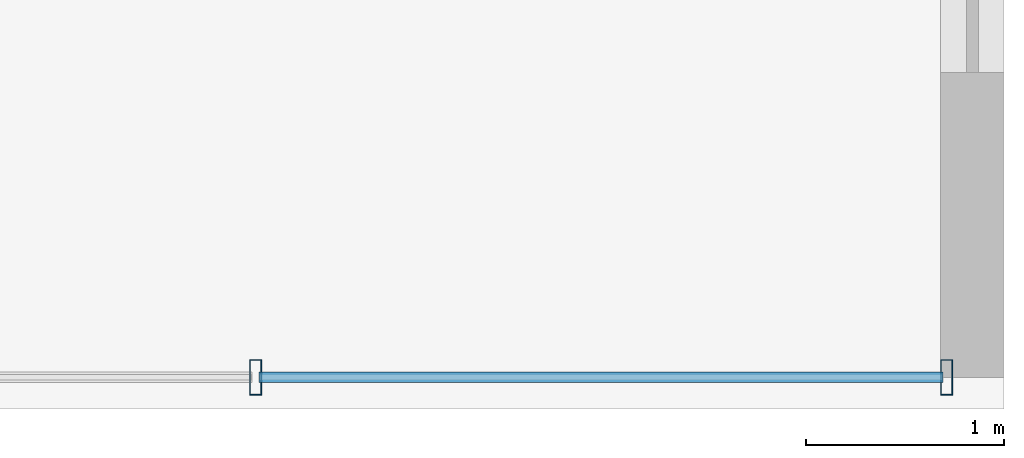
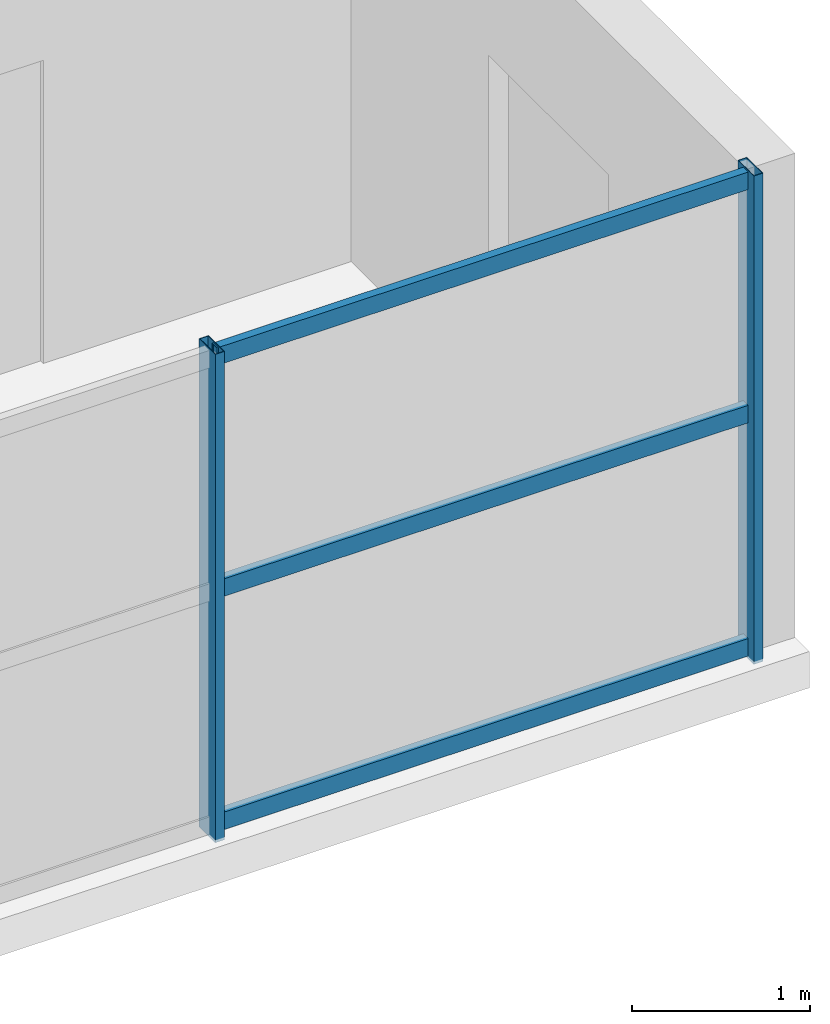
# One storey, part 4 of 13: 5 members, 1 element without a shape of its own.
"""IFC4 building model written with IfcOpenShell, lengths in metres."""

from ifc_helpers import new_model, si_unit, direction, frame, origin, origin_2d, place, context, subcontext, project, spatial, hollow_rectangle, extrude, source, transform, mapped, material, material_profile, profile_set, type_object, element, aggregate, save


model = new_model("IFC4")

# Units and contexts
model_context = context("Model", 3, precision=1e-05, world=origin(), true_north=direction((0.0, 1.0)))
body_context = subcontext(model_context, "Body", "Model", "MODEL_VIEW")
ifc_project = project(units=[si_unit("LENGTHUNIT", "METRE"), si_unit("AREAUNIT", "SQUARE_METRE"), si_unit("VOLUMEUNIT", "CUBIC_METRE"), si_unit("PLANEANGLEUNIT", "RADIAN"), si_unit("MASSUNIT", "GRAM", prefix="KILO")], contexts=[model_context])

# Site, building, storey
site_placement = place(None, origin())
site = spatial("IfcSite", under=ifc_project, at=site_placement, CompositionType="ELEMENT")
building_placement = place(site_placement, origin())
building = spatial("IfcBuilding", under=site, at=building_placement, Name="Tlacorven Tower", CompositionType="ELEMENT")
storey_placement = place(building_placement, frame((0.0, 0.0, 295.199951171875)))
storey = spatial("IfcBuildingStorey", under=building, at=storey_placement, Name="L75", CompositionType="ELEMENT", Elevation=295.199951171875)

# Curtain wall, members
ifc_material_1 = material(Name="Dark solar low-E double glazing in aluminium frame", Category="aluminium")
curtain_wall_type = type_object("IfcCurtainWallType", Name="CW-TWR-HIGH", PredefinedType="USERDEFINED", material=ifc_material_1)
curtain_wall_placement = place(storey_placement, origin())
curtain_wall = element("IfcCurtainWall", 1, at=curtain_wall_placement, inside=storey, type_object=curtain_wall_type, Name="L75 CW-TWR-HIGH Curtain Wall 349", ObjectType="UNITISED CURTAIN WALL", PredefinedType="USERDEFINED")
ifc_material_2 = material(Name="Aluminium 6063-T6 anodised", Category="aluminium")
ifc_material_profile_1 = material_profile(ifc_material_2, hollow_rectangle(XDim=0.054931640625, YDim=0.1201171875, WallThickness=0.00341796875, at=origin_2d()), Name="ALU TRANSOM 55X120")
ifc_profile_set_1 = profile_set([ifc_material_profile_1], Name="Aluminium 6063-T6 anodised")
member_type_1 = type_object("IfcMemberType", Name="CWT-03", PredefinedType="USERDEFINED", material=ifc_profile_set_1)
shared_shape_1 = source(origin(), body_context, "Body", "SweptSolid", [
    extrude(hollow_rectangle(XDim=0.054931640625, YDim=0.1201171875, WallThickness=0.00341796875, at=origin_2d()), origin(), (0.0, 0.0, 1.0), 3.458740234375),
])
member_1_placement = place(storey_placement, frame((43.89208984375, 1.9599609375, 0.06005859375), z_axis=(-1.0, 0.0, 0.0), x_axis=(0.0, -1.0, 0.0)))
member_1 = element("IfcMember", 2, at=member_1_placement, type_object=member_type_1, Name="CW-L75-349 Transom 1", ObjectType="TRANSOM", PredefinedType="USERDEFINED", context=body_context, shape_type="MappedRepresentation", body=[
    mapped(shared_shape_1, transform((0.0, 0.0, 0.0), scale=1.0)),
])
member_2_placement = place(storey_placement, frame((43.89208984375, 1.9599609375, 1.66015625), z_axis=(-1.0, 0.0, 0.0), x_axis=(0.0, -1.0, 0.0)))
member_2 = element("IfcMember", 3, at=member_2_placement, type_object=member_type_1, Name="CW-L75-349 Transom 2", ObjectType="TRANSOM", PredefinedType="USERDEFINED", context=body_context, shape_type="MappedRepresentation", body=[
    mapped(shared_shape_1, transform((0.0, 0.0, 0.0), scale=1.0)),
])
member_3_placement = place(storey_placement, frame((43.89208984375, 1.9599609375, 3.260009765625), z_axis=(-1.0, 0.0, 0.0), x_axis=(0.0, -1.0, 0.0)))
member_3 = element("IfcMember", 4, at=member_3_placement, type_object=member_type_1, Name="CW-L75-349 Transom 3", ObjectType="TRANSOM", PredefinedType="USERDEFINED", context=body_context, shape_type="MappedRepresentation", body=[
    mapped(shared_shape_1, transform((0.0, 0.0, 0.0), scale=1.0)),
])
ifc_material_profile_2 = material_profile(ifc_material_2, hollow_rectangle(XDim=0.06005859375, YDim=0.179931640625, WallThickness=0.00390625, at=origin_2d()), Name="ALU MULLION 60X180")
ifc_profile_set_2 = profile_set([ifc_material_profile_2], Name="Aluminium 6063-T6 anodised")
member_type_2 = type_object("IfcMemberType", Name="CWM-03", PredefinedType="MULLION", material=ifc_profile_set_2)
shared_shape_2 = source(origin(), body_context, "Body", "SweptSolid", [
    extrude(hollow_rectangle(XDim=0.06005859375, YDim=0.179931640625, WallThickness=0.00390625, at=origin_2d()), origin(), (0.0, 0.0, 1.0), 3.35009765625),
])
member_4_placement = place(storey_placement, frame((43.909912109375, 1.9599609375, -0.02001953125), z_axis=(0.0, 0.0, 1.0), x_axis=(-1.0, 0.0, 0.0)))
member_4 = element("IfcMember", 5, at=member_4_placement, type_object=member_type_2, Name="CW-L75-349 Mullion 1", PredefinedType="MULLION", context=body_context, shape_type="MappedRepresentation", body=[
    mapped(shared_shape_2, transform((0.0, 0.0, 0.0), scale=1.0)),
])
member_5_placement = place(storey_placement, frame((40.41552734375, 1.9599609375, -0.02001953125), z_axis=(0.0, 0.0, 1.0), x_axis=(-1.0, 0.0, 0.0)))
member_5 = element("IfcMember", 6, at=member_5_placement, type_object=member_type_2, Name="CW-L75-349 Mullion 2", PredefinedType="MULLION", context=body_context, shape_type="MappedRepresentation", body=[
    mapped(shared_shape_2, transform((0.0, 0.0, 0.0), scale=1.0)),
])
aggregate(curtain_wall, [member_4, member_5, member_1, member_2, member_3])

save(model, "model.ifc")
